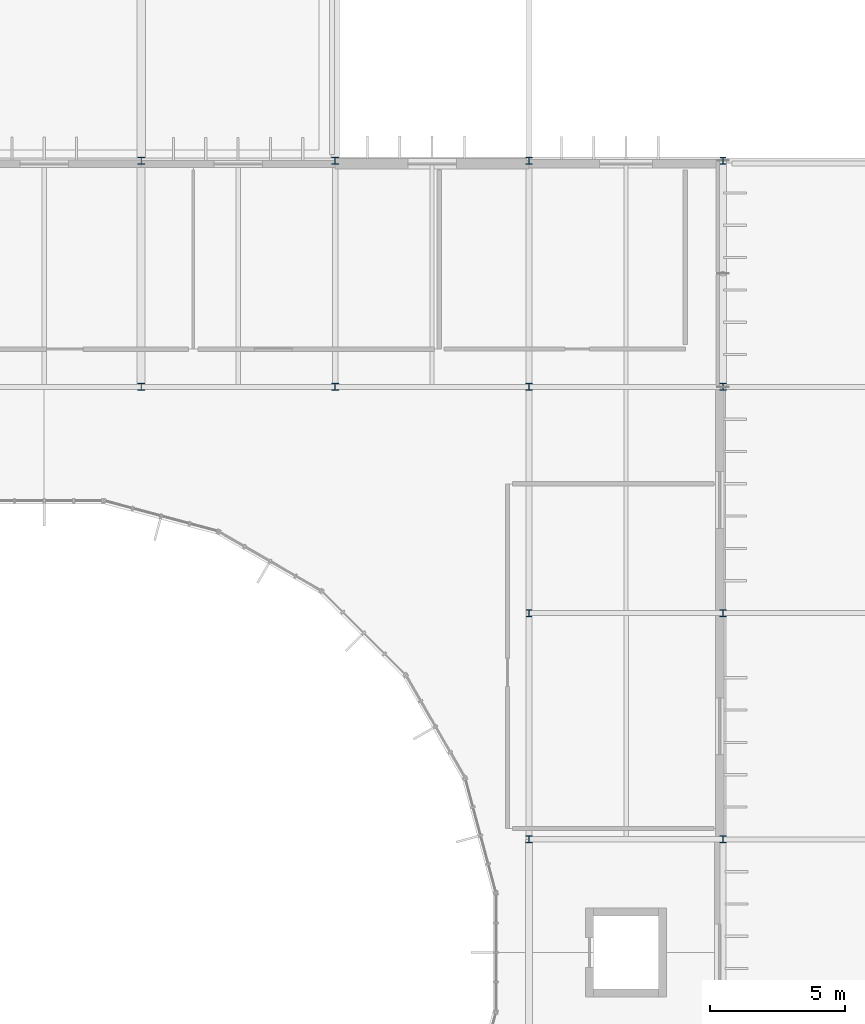
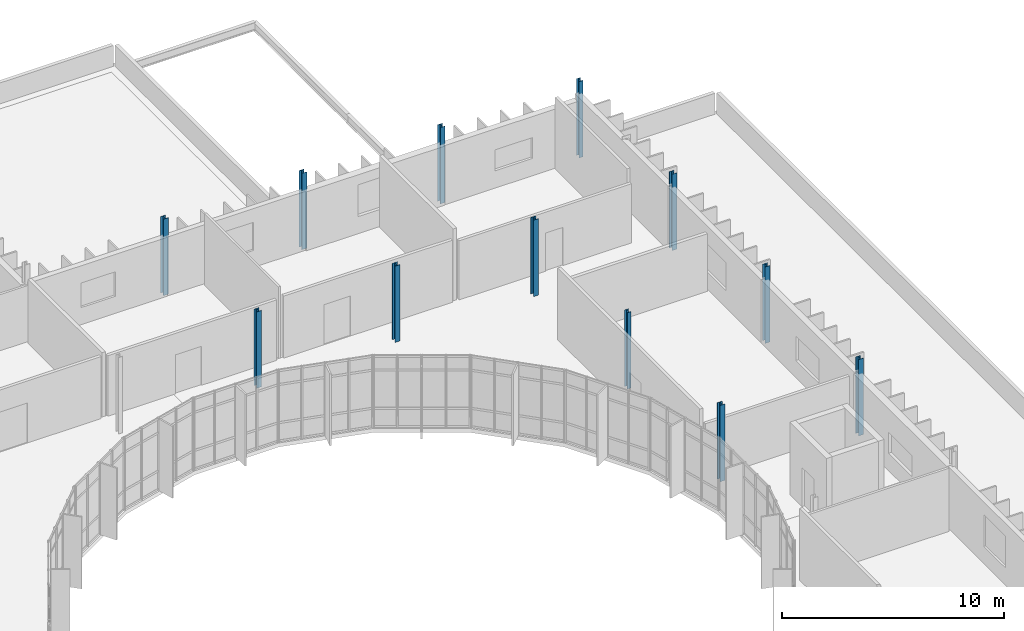
# One storey, part 16 of 99: 12 columns.
"""IFC4 building model written with IfcOpenShell, lengths in metres."""

from ifc_helpers import new_model, si_unit, direction, frame, origin, origin_2d, place, context, subcontext, project, spatial, i_section, extrude, material, material_profile, profile_set, type_object, element, save


model = new_model("IFC4")

# Units and contexts
model_context = context("Model", 3, precision=1e-05, world=origin(), true_north=direction((0.0, 1.0)))
body_context = subcontext(model_context, "Body", "Model", "MODEL_VIEW")
ifc_project = project(units=[si_unit("LENGTHUNIT", "METRE"), si_unit("AREAUNIT", "SQUARE_METRE"), si_unit("VOLUMEUNIT", "CUBIC_METRE"), si_unit("PLANEANGLEUNIT", "RADIAN"), si_unit("MASSUNIT", "GRAM", prefix="KILO")], contexts=[model_context])

# Site, building, storey
site_placement = place(None, origin())
site = spatial("IfcSite", under=ifc_project, at=site_placement, CompositionType="ELEMENT")
building_placement = place(site_placement, origin())
building = spatial("IfcBuilding", under=site, at=building_placement, Name="Qelthora Terrace Specialist Clinic", CompositionType="ELEMENT")
storey_placement = place(building_placement, frame((0.0, 0.0, 9.0)))
storey = spatial("IfcBuildingStorey", under=building, at=storey_placement, Name="L02", CompositionType="ELEMENT", Elevation=9.0)

# Columns
ifc_material = material(Name="Steel S355", Category="steel")
ifc_material_profile_1 = material_profile(ifc_material, i_section(OverallWidth=0.2041015625, OverallDepth=0.257080078125, WebThickness=0.0087890625, FlangeThickness=0.015625, FilletRadius=0.012939453125, at=origin_2d()), Name="W250X67")
ifc_profile_set_1 = profile_set([ifc_material_profile_1], Name="Steel S355")
column_type_1 = type_object("IfcColumnType", Name="COL-W250X67", PredefinedType="COLUMN", material=ifc_profile_set_1)
for number, where, z_axis, x_axis, name in (
    (1, (144.0, 75.60009765625, 0.0), (0.0, 0.0, 1.0), (1.0, 0.0, 0.0), "Column L02-231"),
    (2, (151.199951171875, 92.39990234375, 0.0), (0.0, 0.0, 1.0), (1.0, 0.0, 0.0), "Column L02-247"),
):
    element("IfcColumn", number, at=place(storey_placement, frame(where, z_axis=z_axis, x_axis=x_axis)), inside=storey, type_object=column_type_1, Name=name, PredefinedType="COLUMN", context=body_context, shape_type="SweptSolid", body=[
        extrude(i_section(OverallWidth=0.2041015625, OverallDepth=0.257080078125, WebThickness=0.0087890625, FlangeThickness=0.015625, FilletRadius=0.012939453125, at=origin_2d()), origin(), (0.0, 0.0, 1.0), 4.199951171875),
    ])
ifc_material_profile_2 = material_profile(ifc_material, i_section(OverallWidth=0.25390625, OverallDepth=0.2529296875, WebThickness=0.008544921875, FlangeThickness=0.01416015625, FilletRadius=0.012939453125, at=origin_2d()), Name="W250X73")
ifc_profile_set_2 = profile_set([ifc_material_profile_2], Name="Steel S355")
column_type_2 = type_object("IfcColumnType", Name="COL-W250X73", PredefinedType="COLUMN", material=ifc_profile_set_2)
for number, where, z_axis, x_axis, name in (
    (3, (144.0, 67.199951171875, 0.0), (0.0, 0.0, 1.0), (1.0, 0.0, 0.0), "Column L02-230"),
    (4, (151.199951171875, 84.0, 0.0), (0.0, 0.0, 1.0), (1.0, 0.0, 0.0), "Column L02-246"),
):
    element("IfcColumn", number, at=place(storey_placement, frame(where, z_axis=z_axis, x_axis=x_axis)), inside=storey, type_object=column_type_2, Name=name, PredefinedType="COLUMN", context=body_context, shape_type="SweptSolid", body=[
        extrude(i_section(OverallWidth=0.25390625, OverallDepth=0.2529296875, WebThickness=0.008544921875, FlangeThickness=0.01416015625, FilletRadius=0.012939453125, at=origin_2d()), origin(), (0.0, 0.0, 1.0), 4.199951171875),
    ])
ifc_material_profile_3 = material_profile(ifc_material, i_section(OverallWidth=0.2548828125, OverallDepth=0.256103515625, WebThickness=0.009521484375, FlangeThickness=0.015625, FilletRadius=0.012939453125, at=origin_2d()), Name="W250X80")
ifc_profile_set_3 = profile_set([ifc_material_profile_3], Name="Steel S355")
column_type_3 = type_object("IfcColumnType", Name="COL-W250X80", PredefinedType="COLUMN", material=ifc_profile_set_3)
for number, where, z_axis, x_axis, name in (
    (5, (129.60009765625, 92.39990234375, 0.0), (0.0, 0.0, 1.0), (1.0, 0.0, 0.0), "Column L02-213"),
    (6, (136.800048828125, 92.39990234375, 0.0), (0.0, 0.0, 1.0), (1.0, 0.0, 0.0), "Column L02-221"),
    (7, (144.0, 92.39990234375, 0.0), (0.0, 0.0, 1.0), (1.0, 0.0, 0.0), "Column L02-233"),
    (8, (151.199951171875, 75.60009765625, 0.0), (0.0, 0.0, 1.0), (1.0, 0.0, 0.0), "Column L02-245"),
):
    element("IfcColumn", number, at=place(storey_placement, frame(where, z_axis=z_axis, x_axis=x_axis)), inside=storey, type_object=column_type_3, Name=name, PredefinedType="COLUMN", context=body_context, shape_type="SweptSolid", body=[
        extrude(i_section(OverallWidth=0.2548828125, OverallDepth=0.256103515625, WebThickness=0.009521484375, FlangeThickness=0.015625, FilletRadius=0.012939453125, at=origin_2d()), origin(), (0.0, 0.0, 1.0), 4.199951171875),
    ])
ifc_material_profile_4 = material_profile(ifc_material, i_section(OverallWidth=0.256103515625, OverallDepth=0.260009765625, WebThickness=0.0107421875, FlangeThickness=0.017333984375, FilletRadius=0.012939453125, at=origin_2d()), Name="W250X89")
ifc_profile_set_4 = profile_set([ifc_material_profile_4], Name="Steel S355")
column_type_4 = type_object("IfcColumnType", Name="COL-W250X89", PredefinedType="COLUMN", material=ifc_profile_set_4)
for number, where, z_axis, x_axis, name in (
    (9, (129.60009765625, 84.0, 0.0), (0.0, 0.0, 1.0), (1.0, 0.0, 0.0), "Column L02-212"),
    (10, (136.800048828125, 84.0, 0.0), (0.0, 0.0, 1.0), (1.0, 0.0, 0.0), "Column L02-220"),
    (11, (144.0, 84.0, 0.0), (0.0, 0.0, 1.0), (1.0, 0.0, 0.0), "Column L02-232"),
    (12, (151.199951171875, 67.199951171875, 0.0), (0.0, 0.0, 1.0), (1.0, 0.0, 0.0), "Column L02-244"),
):
    element("IfcColumn", number, at=place(storey_placement, frame(where, z_axis=z_axis, x_axis=x_axis)), inside=storey, type_object=column_type_4, Name=name, PredefinedType="COLUMN", context=body_context, shape_type="SweptSolid", body=[
        extrude(i_section(OverallWidth=0.256103515625, OverallDepth=0.260009765625, WebThickness=0.0107421875, FlangeThickness=0.017333984375, FilletRadius=0.012939453125, at=origin_2d()), origin(), (0.0, 0.0, 1.0), 4.199951171875),
    ])

save(model, "model.ifc")
